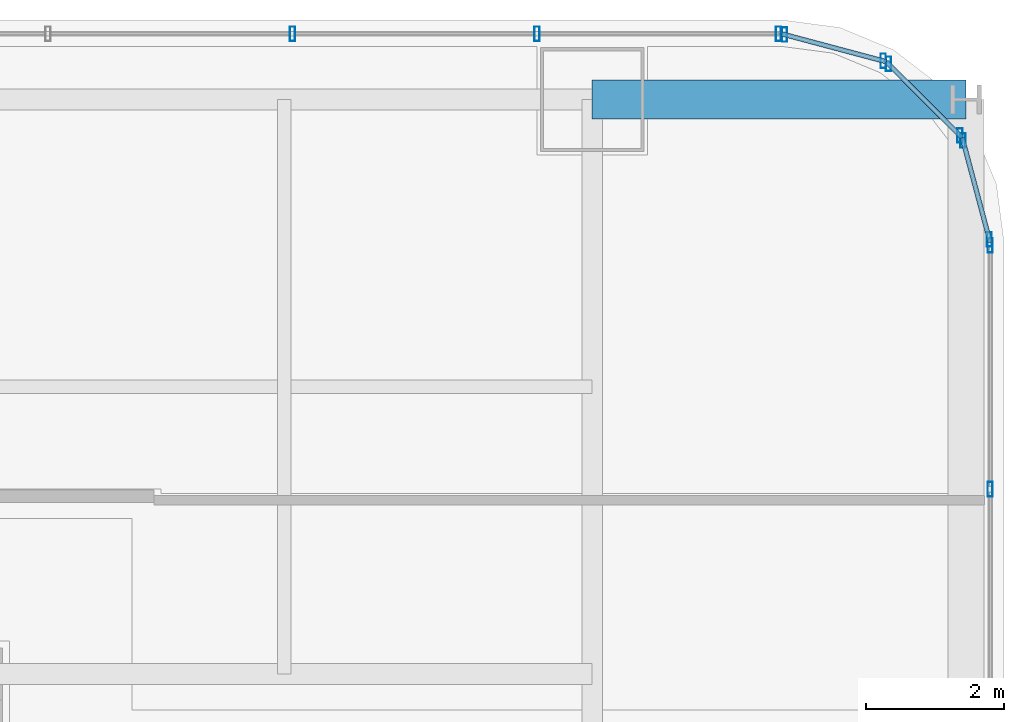
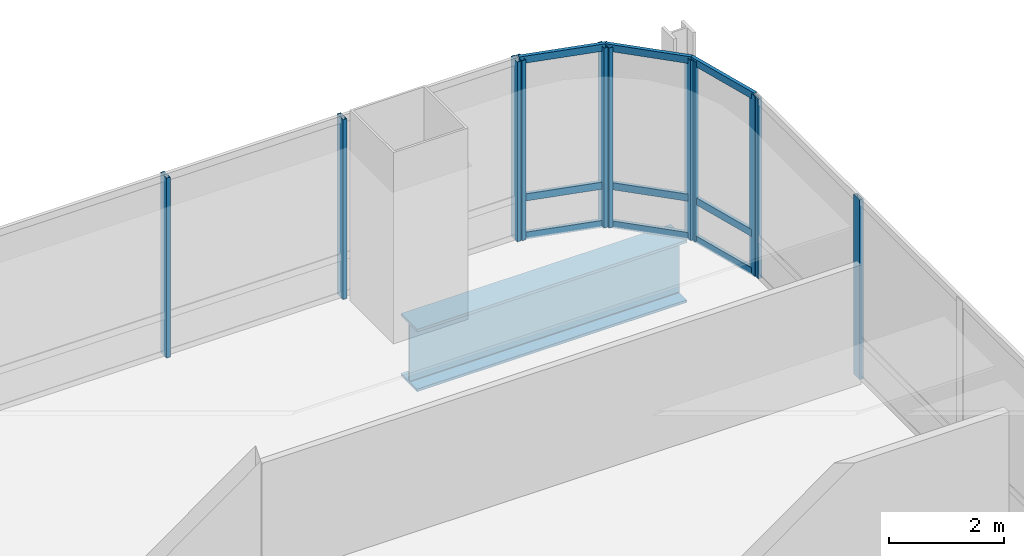
# One storey, part 24 of 35: 20 members, 1 beam, 5 elements without a shape of their own.
"""IFC4 building model written with IfcOpenShell, lengths in metres."""

from ifc_helpers import new_model, si_unit, direction, frame, origin, origin_2d, place, context, subcontext, project, spatial, hollow_rectangle, i_section, extrude, material, material_profile, profile_set, type_object, element, aggregate, save


model = new_model("IFC4")

# Units and contexts
model_context = context("Model", 3, precision=1e-05, world=origin(), true_north=direction((0.0, 1.0)))
body_context = subcontext(model_context, "Body", "Model", "MODEL_VIEW")
ifc_project = project(units=[si_unit("LENGTHUNIT", "METRE"), si_unit("AREAUNIT", "SQUARE_METRE"), si_unit("VOLUMEUNIT", "CUBIC_METRE"), si_unit("PLANEANGLEUNIT", "RADIAN"), si_unit("MASSUNIT", "GRAM", prefix="KILO")], contexts=[model_context])

# Site, building, storey
site_placement = place(None, origin())
site = spatial("IfcSite", under=ifc_project, at=site_placement, CompositionType="ELEMENT")
building_placement = place(site_placement, origin())
building = spatial("IfcBuilding", under=site, at=building_placement, Name="Punatoya Terracotta Tower", CompositionType="ELEMENT")
storey_placement = place(building_placement, frame((0.0, 0.0, 68.699951171875)))
storey = spatial("IfcBuildingStorey", under=building, at=storey_placement, Name="L15", CompositionType="ELEMENT", Elevation=68.699951171875)

# Beam
ifc_material_1 = material(Name="Steel S460", Category="steel")
ifc_material_profile_1 = material_profile(ifc_material_1, i_section(OverallWidth=0.56005859375, OverallDepth=1.320068359375, WebThickness=0.035888671875, FlangeThickness=0.054931640625, FilletRadius=0.01806640625, at=origin_2d()))
ifc_profile_set_1 = profile_set([ifc_material_profile_1], Name="Steel S460")
beam_type = type_object("IfcBeamType", Name="BM-TG-BLK", PredefinedType="BEAM", material=ifc_profile_set_1)
beam_placement = place(storey_placement, frame((19.10009765625, 17.5, -0.89990234375), z_axis=(1.0, 0.0, 0.0), x_axis=(0.0, 1.0, 0.0)))
element("IfcBeam", 1, at=beam_placement, inside=storey, type_object=beam_type, Name="BM-L15-CANT-E4", PredefinedType="BEAM", context=body_context, shape_type="SweptSolid", body=[
    extrude(i_section(OverallWidth=0.56005859375, OverallDepth=1.320068359375, WebThickness=0.035888671875, FlangeThickness=0.054931640625, FilletRadius=0.01806640625, at=origin_2d()), origin(), (0.0, 0.0, 1.0), 5.39990234375),
])

# Curtain wall, members
ifc_material_2 = material(Name="Aluminium 6063-T6 + Double Low-E Glass", Category="aluminium")
curtain_wall_type = type_object("IfcCurtainWallType", Name="CW-M1", PredefinedType="NOTDEFINED", material=ifc_material_2)
curtain_wall_1_placement = place(storey_placement, origin())
curtain_wall_1 = element("IfcCurtainWall", 2, at=curtain_wall_1_placement, inside=storey, type_object=curtain_wall_type, Name="L15 Curtain Wall CW-L15-E05-1", PredefinedType="NOTDEFINED")
ifc_material_3 = material(Name="Aluminium 6063-T6", Category="aluminium")
ifc_material_profile_2 = material_profile(ifc_material_3, hollow_rectangle(XDim=0.074951171875, YDim=0.2099609375, WallThickness=0.00439453125, at=origin_2d()))
ifc_profile_set_2 = profile_set([ifc_material_profile_2], Name="Aluminium 6063-T6")
member_type_1 = type_object("IfcMemberType", Name="CW-MUL-M1", PredefinedType="MULLION", material=ifc_profile_set_2)
member_1_placement = place(storey_placement, frame((24.85009765625, 11.869384765625, 0.0), z_axis=(0.0, 0.0, 1.0), x_axis=(1.0, 0.0, 0.0)))
member_1 = element("IfcMember", 3, at=member_1_placement, type_object=member_type_1, Name="CW-L15-E05-1 Mullion 09", PredefinedType="MULLION", context=body_context, shape_type="SweptSolid", body=[
    extrude(hollow_rectangle(XDim=0.074951171875, YDim=0.2099609375, WallThickness=0.00439453125, at=origin_2d()), origin(), (0.0, 0.0, 1.0), 3.81005859375),
])
member_2_placement = place(storey_placement, frame((24.85009765625, 15.391845703125, 0.0), z_axis=(0.0, 0.0, 1.0), x_axis=(1.0, 0.0, 0.0)))
member_2 = element("IfcMember", 4, at=member_2_placement, type_object=member_type_1, Name="CW-L15-E05-1 Mullion 10", PredefinedType="MULLION", context=body_context, shape_type="SweptSolid", body=[
    extrude(hollow_rectangle(XDim=0.074951171875, YDim=0.2099609375, WallThickness=0.00439453125, at=origin_2d()), origin(), (0.0, 0.0, 1.0), 3.81005859375),
])
aggregate(curtain_wall_1, [member_1, member_2])

curtain_wall_2_placement = place(storey_placement, origin())
curtain_wall_2 = element("IfcCurtainWall", 5, at=curtain_wall_2_placement, inside=storey, type_object=curtain_wall_type, Name="L15 Curtain Wall CW-L15-CRN06", PredefinedType="NOTDEFINED")
member_3_placement = place(storey_placement, frame((24.83837890625, 15.48046875, 0.0), z_axis=(0.0, 0.0, 1.0), x_axis=(1.0, 0.0, 0.0)))
member_3 = element("IfcMember", 6, at=member_3_placement, type_object=member_type_1, Name="CW-L15-CRN06 Mullion 00", PredefinedType="MULLION", context=body_context, shape_type="SweptSolid", body=[
    extrude(hollow_rectangle(XDim=0.074951171875, YDim=0.2099609375, WallThickness=0.00439453125, at=origin_2d()), origin(), (0.0, 0.0, 1.0), 3.81005859375),
])
member_4_placement = place(storey_placement, frame((24.458251953125, 16.905517578125, 0.0), z_axis=(0.0, 0.0, 1.0), x_axis=(1.0, 0.0, 0.0)))
member_4 = element("IfcMember", 7, at=member_4_placement, type_object=member_type_1, Name="CW-L15-CRN06 Mullion 01", PredefinedType="MULLION", context=body_context, shape_type="SweptSolid", body=[
    extrude(hollow_rectangle(XDim=0.074951171875, YDim=0.2099609375, WallThickness=0.00439453125, at=origin_2d()), origin(), (0.0, 0.0, 1.0), 3.81005859375),
])

curtain_wall_3_placement = place(storey_placement, origin())
curtain_wall_3 = element("IfcCurtainWall", 8, at=curtain_wall_3_placement, inside=storey, type_object=curtain_wall_type, Name="L15 Curtain Wall CW-L15-CRN07", PredefinedType="NOTDEFINED")
member_5_placement = place(storey_placement, frame((24.414794921875, 16.98095703125, 0.0), z_axis=(0.0, 0.0, 1.0), x_axis=(1.0, 0.0, 0.0)))
member_5 = element("IfcMember", 9, at=member_5_placement, type_object=member_type_1, Name="CW-L15-CRN07 Mullion 00", PredefinedType="MULLION", context=body_context, shape_type="SweptSolid", body=[
    extrude(hollow_rectangle(XDim=0.074951171875, YDim=0.2099609375, WallThickness=0.00439453125, at=origin_2d()), origin(), (0.0, 0.0, 1.0), 3.81005859375),
])
member_6_placement = place(storey_placement, frame((23.380859375, 18.014892578125, 0.0), z_axis=(0.0, 0.0, 1.0), x_axis=(1.0, 0.0, 0.0)))
member_6 = element("IfcMember", 10, at=member_6_placement, type_object=member_type_1, Name="CW-L15-CRN07 Mullion 01", PredefinedType="MULLION", context=body_context, shape_type="SweptSolid", body=[
    extrude(hollow_rectangle(XDim=0.074951171875, YDim=0.2099609375, WallThickness=0.00439453125, at=origin_2d()), origin(), (0.0, 0.0, 1.0), 3.81005859375),
])

curtain_wall_4_placement = place(storey_placement, origin())
curtain_wall_4 = element("IfcCurtainWall", 11, at=curtain_wall_4_placement, inside=storey, type_object=curtain_wall_type, Name="L15 Curtain Wall CW-L15-CRN08", PredefinedType="NOTDEFINED")
member_7_placement = place(storey_placement, frame((23.3056640625, 18.05810546875, 0.0), z_axis=(0.0, 0.0, 1.0), x_axis=(1.0, 0.0, 0.0)))
member_7 = element("IfcMember", 12, at=member_7_placement, type_object=member_type_1, Name="CW-L15-CRN08 Mullion 00", PredefinedType="MULLION", context=body_context, shape_type="SweptSolid", body=[
    extrude(hollow_rectangle(XDim=0.074951171875, YDim=0.2099609375, WallThickness=0.00439453125, at=origin_2d()), origin(), (0.0, 0.0, 1.0), 3.81005859375),
])
member_8_placement = place(storey_placement, frame((21.88037109375, 18.4384765625, 0.0), z_axis=(0.0, 0.0, 1.0), x_axis=(1.0, 0.0, 0.0)))
member_8 = element("IfcMember", 13, at=member_8_placement, type_object=member_type_1, Name="CW-L15-CRN08 Mullion 01", PredefinedType="MULLION", context=body_context, shape_type="SweptSolid", body=[
    extrude(hollow_rectangle(XDim=0.074951171875, YDim=0.2099609375, WallThickness=0.00439453125, at=origin_2d()), origin(), (0.0, 0.0, 1.0), 3.81005859375),
])

curtain_wall_5_placement = place(storey_placement, origin())
curtain_wall_5 = element("IfcCurtainWall", 14, at=curtain_wall_5_placement, inside=storey, type_object=curtain_wall_type, Name="L15 Curtain Wall CW-L15-N09-1", PredefinedType="NOTDEFINED")
member_9_placement = place(storey_placement, frame((21.7919921875, 18.449951171875, 0.0), z_axis=(0.0, 0.0, 1.0), x_axis=(1.0, 0.0, 0.0)))
member_9 = element("IfcMember", 15, at=member_9_placement, type_object=member_type_1, Name="CW-L15-N09-1 Mullion 00", PredefinedType="MULLION", context=body_context, shape_type="SweptSolid", body=[
    extrude(hollow_rectangle(XDim=0.074951171875, YDim=0.2099609375, WallThickness=0.00439453125, at=origin_2d()), origin(), (0.0, 0.0, 1.0), 3.81005859375),
])
member_10_placement = place(storey_placement, frame((18.302978515625, 18.449951171875, 0.0), z_axis=(0.0, 0.0, 1.0), x_axis=(1.0, 0.0, 0.0)))
member_10 = element("IfcMember", 16, at=member_10_placement, type_object=member_type_1, Name="CW-L15-N09-1 Mullion 01", PredefinedType="MULLION", context=body_context, shape_type="SweptSolid", body=[
    extrude(hollow_rectangle(XDim=0.074951171875, YDim=0.2099609375, WallThickness=0.00439453125, at=origin_2d()), origin(), (0.0, 0.0, 1.0), 3.81005859375),
])
member_11_placement = place(storey_placement, frame((14.768798828125, 18.449951171875, 0.0), z_axis=(0.0, 0.0, 1.0), x_axis=(1.0, 0.0, 0.0)))
member_11 = element("IfcMember", 17, at=member_11_placement, type_object=member_type_1, Name="CW-L15-N09-1 Mullion 02", PredefinedType="MULLION", context=body_context, shape_type="SweptSolid", body=[
    extrude(hollow_rectangle(XDim=0.074951171875, YDim=0.2099609375, WallThickness=0.00439453125, at=origin_2d()), origin(), (0.0, 0.0, 1.0), 3.81005859375),
])
aggregate(curtain_wall_5, [member_9, member_10, member_11])

# Member
ifc_material_profile_3 = material_profile(ifc_material_3, hollow_rectangle(XDim=0.068115234375, YDim=0.14990234375, WallThickness=0.00390625, at=origin_2d()))
ifc_profile_set_3 = profile_set([ifc_material_profile_3], Name="Aluminium 6063-T6")
member_type_2 = type_object("IfcMemberType", Name="CW-TRN-TYP", PredefinedType="USERDEFINED", material=ifc_profile_set_3)
member_12_placement = place(storey_placement, frame((24.85009765625, 15.43701171875, 0.0400390625), z_axis=(-0.257847112249, 0.966185730957, 0.0), x_axis=(-0.966185730957, -0.257847112249, 0.0)))
member_12 = element("IfcMember", 18, at=member_12_placement, type_object=member_type_2, Name="CW-L15-CRN06 Transom 1", ObjectType="TRANSOM", PredefinedType="USERDEFINED", context=body_context, shape_type="SweptSolid", body=[
    extrude(hollow_rectangle(XDim=0.068115234375, YDim=0.14990234375, WallThickness=0.00390625, at=origin_2d()), origin(), (0.0, 0.0, 1.0), 1.565185546875),
])

member_13_placement = place(storey_placement, frame((24.85009765625, 15.43701171875, 0.85009765625), z_axis=(-0.257847112249, 0.966185730957, 0.0), x_axis=(-0.966185730957, -0.257847112249, 0.0)))
member_13 = element("IfcMember", 19, at=member_13_placement, type_object=member_type_2, Name="CW-L15-CRN06 Transom 2", ObjectType="TRANSOM", PredefinedType="USERDEFINED", context=body_context, shape_type="SweptSolid", body=[
    extrude(hollow_rectangle(XDim=0.068115234375, YDim=0.14990234375, WallThickness=0.00390625, at=origin_2d()), origin(), (0.0, 0.0, 1.0), 1.565185546875),
])

member_14_placement = place(storey_placement, frame((24.85009765625, 15.43701171875, 3.77001953125), z_axis=(-0.257847112249, 0.966185730957, 0.0), x_axis=(-0.966185730957, -0.257847112249, 0.0)))
member_14 = element("IfcMember", 20, at=member_14_placement, type_object=member_type_2, Name="CW-L15-CRN06 Transom 3", ObjectType="TRANSOM", PredefinedType="USERDEFINED", context=body_context, shape_type="SweptSolid", body=[
    extrude(hollow_rectangle(XDim=0.068115234375, YDim=0.14990234375, WallThickness=0.00390625, at=origin_2d()), origin(), (0.0, 0.0, 1.0), 1.565185546875),
])

aggregate(curtain_wall_2, [member_3, member_4, member_12, member_13, member_14])

member_15_placement = place(storey_placement, frame((24.446533203125, 16.94921875, 0.0400390625), z_axis=(-0.707106781187, 0.707106781187, 0.0), x_axis=(-0.707106781187, -0.707106781187, 0.0)))
member_15 = element("IfcMember", 21, at=member_15_placement, type_object=member_type_2, Name="CW-L15-CRN07 Transom 1", ObjectType="TRANSOM", PredefinedType="USERDEFINED", context=body_context, shape_type="SweptSolid", body=[
    extrude(hollow_rectangle(XDim=0.068115234375, YDim=0.14990234375, WallThickness=0.00390625, at=origin_2d()), origin(), (0.0, 0.0, 1.0), 1.552001953125),
])

member_16_placement = place(storey_placement, frame((24.446533203125, 16.94921875, 0.85009765625), z_axis=(-0.707106781187, 0.707106781187, 0.0), x_axis=(-0.707106781187, -0.707106781187, 0.0)))
member_16 = element("IfcMember", 22, at=member_16_placement, type_object=member_type_2, Name="CW-L15-CRN07 Transom 2", ObjectType="TRANSOM", PredefinedType="USERDEFINED", context=body_context, shape_type="SweptSolid", body=[
    extrude(hollow_rectangle(XDim=0.068115234375, YDim=0.14990234375, WallThickness=0.00390625, at=origin_2d()), origin(), (0.0, 0.0, 1.0), 1.552001953125),
])

member_17_placement = place(storey_placement, frame((24.446533203125, 16.94921875, 3.77001953125), z_axis=(-0.707106781187, 0.707106781187, 0.0), x_axis=(-0.707106781187, -0.707106781187, 0.0)))
member_17 = element("IfcMember", 23, at=member_17_placement, type_object=member_type_2, Name="CW-L15-CRN07 Transom 3", ObjectType="TRANSOM", PredefinedType="USERDEFINED", context=body_context, shape_type="SweptSolid", body=[
    extrude(hollow_rectangle(XDim=0.068115234375, YDim=0.14990234375, WallThickness=0.00390625, at=origin_2d()), origin(), (0.0, 0.0, 1.0), 1.552001953125),
])

aggregate(curtain_wall_3, [member_5, member_6, member_15, member_16, member_17])

member_18_placement = place(storey_placement, frame((23.34912109375, 18.046630859375, 0.0400390625), z_axis=(-0.966224582397, 0.257701486942, 0.0), x_axis=(-0.257701486942, -0.966224582397, 0.0)))
member_18 = element("IfcMember", 24, at=member_18_placement, type_object=member_type_2, Name="CW-L15-CRN08 Transom 1", ObjectType="TRANSOM", PredefinedType="USERDEFINED", context=body_context, shape_type="SweptSolid", body=[
    extrude(hollow_rectangle(XDim=0.068115234375, YDim=0.14990234375, WallThickness=0.00390625, at=origin_2d()), origin(), (0.0, 0.0, 1.0), 1.565185546875),
])

member_19_placement = place(storey_placement, frame((23.34912109375, 18.046630859375, 0.85009765625), z_axis=(-0.966224582397, 0.257701486942, 0.0), x_axis=(-0.257701486942, -0.966224582397, 0.0)))
member_19 = element("IfcMember", 25, at=member_19_placement, type_object=member_type_2, Name="CW-L15-CRN08 Transom 2", ObjectType="TRANSOM", PredefinedType="USERDEFINED", context=body_context, shape_type="SweptSolid", body=[
    extrude(hollow_rectangle(XDim=0.068115234375, YDim=0.14990234375, WallThickness=0.00390625, at=origin_2d()), origin(), (0.0, 0.0, 1.0), 1.565185546875),
])

member_20_placement = place(storey_placement, frame((23.34912109375, 18.046630859375, 3.77001953125), z_axis=(-0.966224582397, 0.257701486942, 0.0), x_axis=(-0.257701486942, -0.966224582397, 0.0)))
member_20 = element("IfcMember", 26, at=member_20_placement, type_object=member_type_2, Name="CW-L15-CRN08 Transom 3", ObjectType="TRANSOM", PredefinedType="USERDEFINED", context=body_context, shape_type="SweptSolid", body=[
    extrude(hollow_rectangle(XDim=0.068115234375, YDim=0.14990234375, WallThickness=0.00390625, at=origin_2d()), origin(), (0.0, 0.0, 1.0), 1.565185546875),
])

aggregate(curtain_wall_4, [member_7, member_8, member_18, member_19, member_20])

save(model, "model.ifc")
